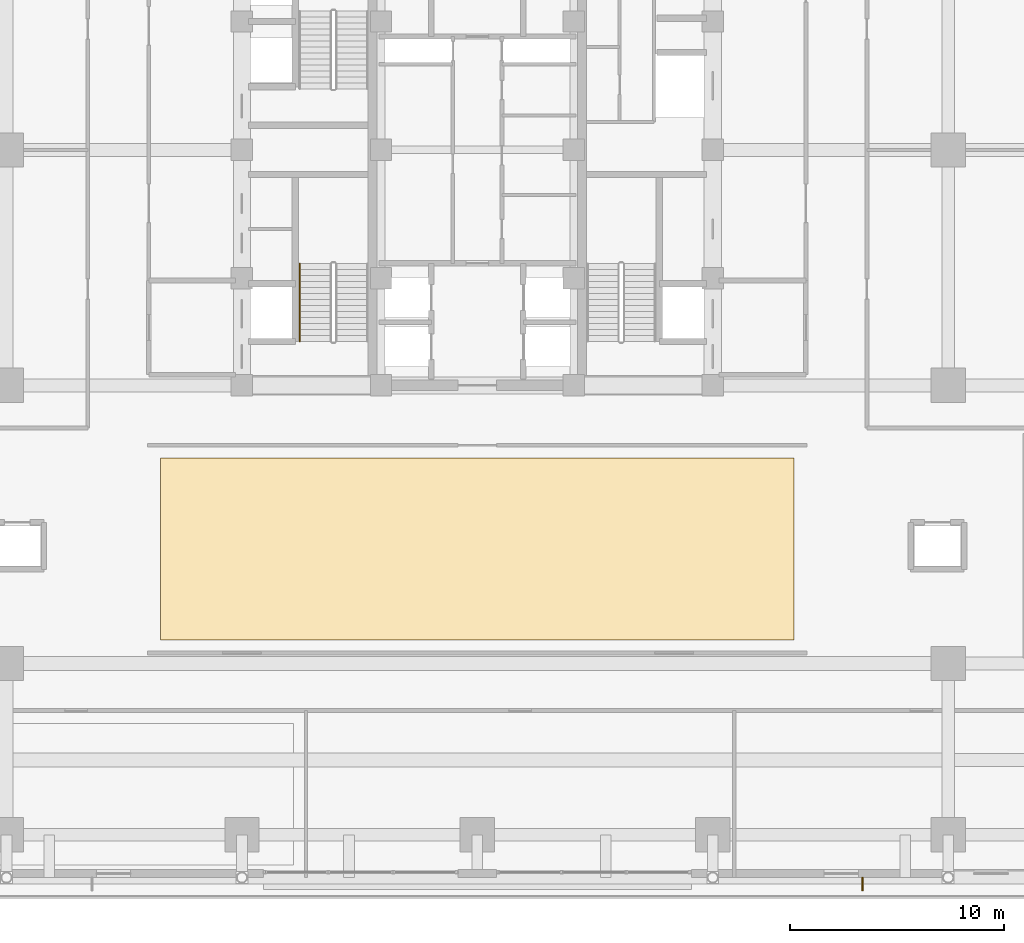
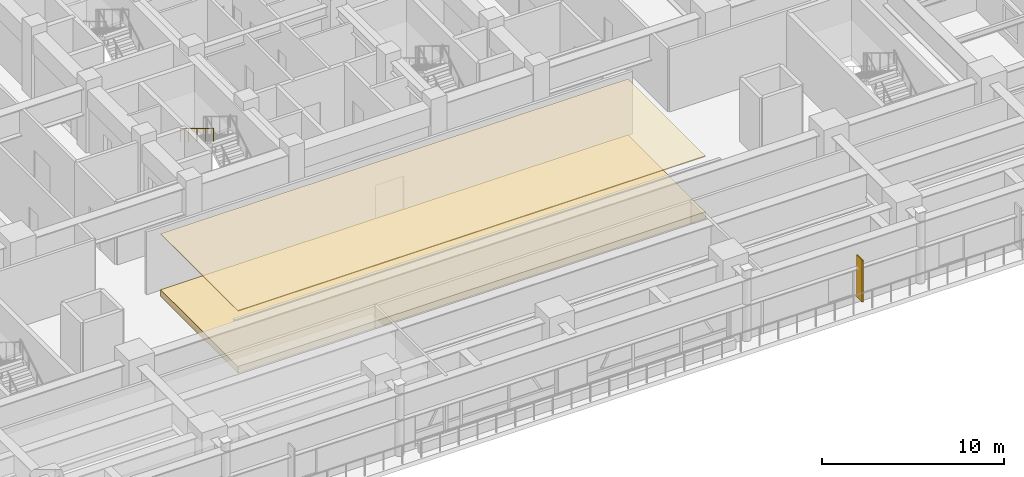
# One storey, part 30 of 35: 2 coverings, 1 railing, 1 shading device.
"""IFC4 building model written with IfcOpenShell, lengths in metres."""

from ifc_helpers import new_model, si_unit, direction, frame, origin, origin_2d, place, context, subcontext, project, spatial, polyline, rectangle, circle, outline, extrude, source, transform, mapped, material, layer, layer_set, type_object, element, save


model = new_model("IFC4")

# Units and contexts
model_context = context("Model", 3, precision=1e-05, world=origin(), true_north=direction((0.0, 1.0)))
body_context = subcontext(model_context, "Body", "Model", "MODEL_VIEW")
ifc_project = project(units=[si_unit("LENGTHUNIT", "METRE"), si_unit("AREAUNIT", "SQUARE_METRE"), si_unit("VOLUMEUNIT", "CUBIC_METRE"), si_unit("PLANEANGLEUNIT", "RADIAN"), si_unit("MASSUNIT", "GRAM", prefix="KILO")], contexts=[model_context])

# Site, building, storey
site_placement = place(None, origin())
site = spatial("IfcSite", under=ifc_project, at=site_placement, CompositionType="ELEMENT")
building_placement = place(site_placement, origin())
building = spatial("IfcBuilding", under=site, at=building_placement, Name="Khorayat Bourse Tower", CompositionType="ELEMENT")
storey_placement = place(building_placement, frame((0.0, 0.0, 22.199951171875)))
storey = spatial("IfcBuildingStorey", under=building, at=storey_placement, Name="L04", CompositionType="ELEMENT", Elevation=22.199951171875)

# Coverings
ifc_material_1 = material(Name="Perforated aluminium acoustic ceiling", Category="aluminium")
ifc_layer_1 = layer(ifc_material_1, 0.06005859375)
ifc_layer_set_1 = layer_set([ifc_layer_1], Name="Perforated aluminium acoustic ceiling")
covering_type_1 = type_object("IfcCoveringType", Name="COV-CEIL-BAFFLE", PredefinedType="CEILING", material=ifc_layer_set_1)
covering_1_placement = place(storey_placement, frame((0.0, 0.0, 4.14013671875)))
element("IfcCovering", 1, at=covering_1_placement, inside=storey, type_object=covering_type_1, Name="L04 Suspended Ceiling 1", PredefinedType="CEILING", context=body_context, shape_type="SweptSolid", body=[
    extrude(outline(polyline([(-14.800048828125, -22.89990234375), (14.800048828125, -22.89990234375), (14.800048828125, -14.39990234375), (-14.800048828125, -14.39990234375), (-14.800048828125, -22.89990234375)])), origin(), (0.0, 0.0, 1.0), 0.059814453125),
])
ifc_material_2 = material(Name="Calcium-sulphate raised access floor")
ifc_layer_2 = layer(ifc_material_2, 0.449951171875)
ifc_layer_set_2 = layer_set([ifc_layer_2], Name="Calcium-sulphate raised access floor")
covering_type_2 = type_object("IfcCoveringType", Name="COV-RAF-TRADING", PredefinedType="FLOORING", material=ifc_layer_set_2)
covering_2_placement = place(storey_placement, origin())
element("IfcCovering", 2, at=covering_2_placement, inside=storey, type_object=covering_type_2, Name="L04 Raised Access Floor 1", PredefinedType="FLOORING", context=body_context, shape_type="SweptSolid", body=[
    extrude(outline(polyline([(-14.800048828125, -22.89990234375), (14.800048828125, -22.89990234375), (14.800048828125, -14.39990234375), (-14.800048828125, -14.39990234375), (-14.800048828125, -22.89990234375)])), origin(), (0.0, 0.0, 1.0), 0.449951171875),
])

# Shading device
ifc_material_3 = material(Name="Anodised champagne aluminium", Category="aluminium")
ifc_layer_3 = layer(ifc_material_3, 0.080078125)
ifc_layer_set_3 = layer_set([ifc_layer_3], Name="Anodised champagne aluminium")
shading_device_type = type_object("IfcShadingDeviceType", Name="SHD-MASHRABIYA-FIN", PredefinedType="USERDEFINED", material=ifc_layer_set_3)
shared_shape_1 = source(origin(), body_context, "Body", "SweptSolid", [
    extrude(rectangle(XDim=0.080078125, YDim=0.64990234375, at=origin_2d()), origin(), (0.0, 0.0, 1.0), 2.800048828125),
])
shading_device_placement = place(storey_placement, frame((18.0, -34.300048828125, 0.39990234375), z_axis=(0.0, 0.0, 1.0), x_axis=(1.0, 0.0, 0.0)))
element("IfcShadingDevice", 3, at=shading_device_placement, inside=storey, type_object=shading_device_type, Name="L04 Mashrabiya Vertical Shading Fin 3", ObjectType="FIN", PredefinedType="USERDEFINED", context=body_context, shape_type="MappedRepresentation", body=[
    mapped(shared_shape_1, transform((0.0, 0.0, 0.0), scale=1.0)),
])

# Railing
ifc_material_4 = material(Name="Brushed bronze stainless-steel handrail", Category="steel")
railing_type = type_object("IfcRailingType", Name="RLG-HAND-900", PredefinedType="HANDRAIL", material=ifc_material_4)
shared_shape_2 = source(origin(), body_context, "Body", "SweptSolid", [
    extrude(circle(Radius=0.02392578125, at=origin_2d()), frame((0.0, 0.0, 0.8759765625), z_axis=(0.0, -0.852850264322, 0.5221555579), x_axis=(1.0, 0.0, 0.0)), (0.0, 0.0, 1.0), 4.267822265625),
    extrude(circle(Radius=0.02099609375, at=origin_2d()), origin(), (0.0, 0.0, 1.0), 0.851806640625),
    extrude(circle(Radius=0.02099609375, at=origin_2d()), frame((0.0, -0.909912109375, 0.55712890625)), (0.0, 0.0, 1.0), 0.851806640625),
    extrude(circle(Radius=0.02099609375, at=origin_2d()), frame((0.0, -1.81982421875, 1.1142578125)), (0.0, 0.0, 1.0), 0.851806640625),
    extrude(circle(Radius=0.02099609375, at=origin_2d()), frame((0.0, -2.72998046875, 1.67138671875)), (0.0, 0.0, 1.0), 0.851806640625),
    extrude(circle(Radius=0.02099609375, at=origin_2d()), frame((0.0, -3.639892578125, 2.228515625)), (0.0, 0.0, 1.0), 0.851806640625),
])
railing_placement = place(storey_placement, frame((-8.300048828125, -5.31005859375, 2.571533203125)))
element("IfcRailing", 4, at=railing_placement, inside=storey, type_object=railing_type, Name="L04 ST-1 stair handrail 2", PredefinedType="HANDRAIL", context=body_context, shape_type="MappedRepresentation", body=[
    mapped(shared_shape_2, transform((0.0, 0.0, 0.0), scale=1.0)),
])

save(model, "model.ifc")
